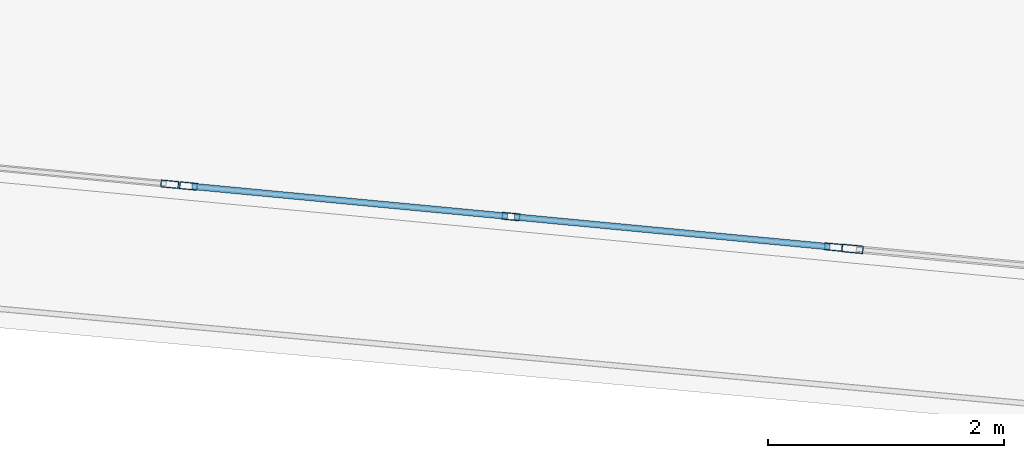
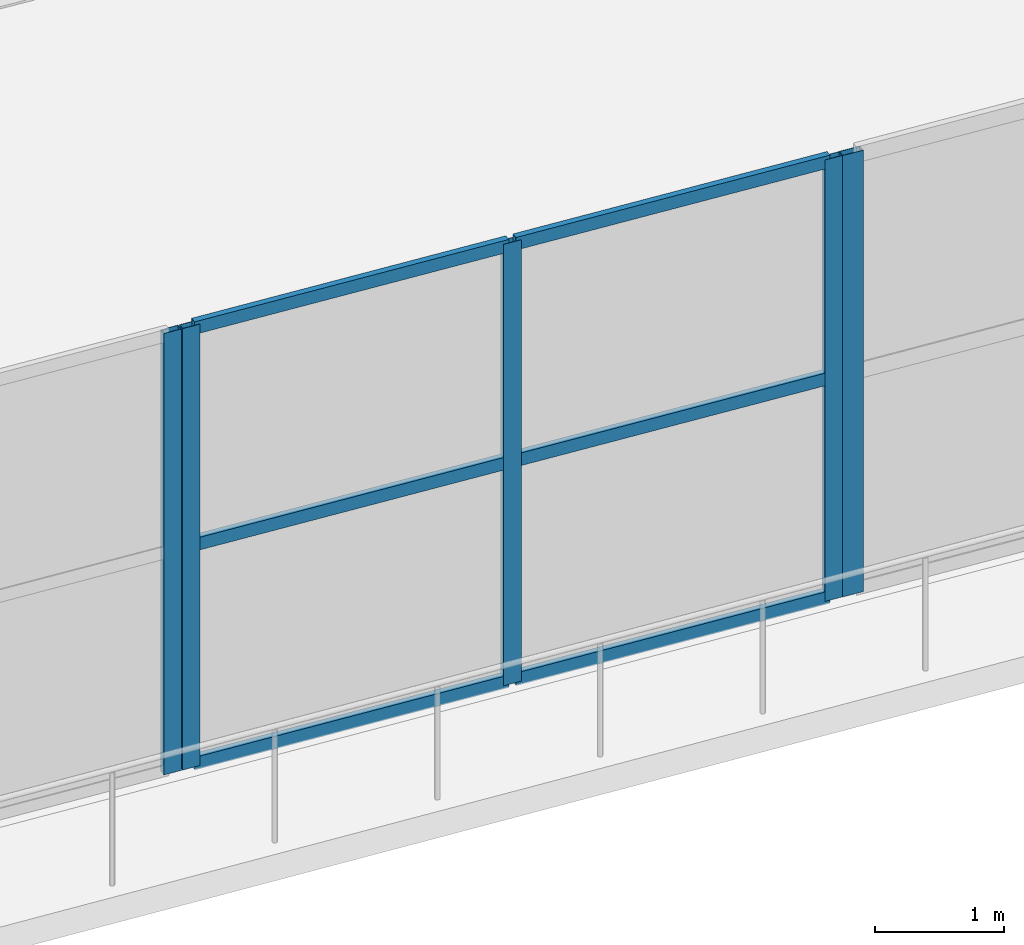
# One storey, part 22 of 107: 11 members, 3 elements without a shape of their own.
"""IFC4 building model written with IfcOpenShell, lengths in metres."""

from ifc_helpers import new_model, si_unit, direction, frame, origin, origin_2d, place, context, subcontext, project, spatial, hollow_rectangle, extrude, material, layer, layer_set, material_profile, profile_set, type_object, element, aggregate, save


model = new_model("IFC4")

# Units and contexts
model_context = context("Model", 3, precision=1e-05, world=origin(), true_north=direction((0.0, 1.0)))
body_context = subcontext(model_context, "Body", "Model", "MODEL_VIEW")
ifc_project = project(units=[si_unit("LENGTHUNIT", "METRE"), si_unit("AREAUNIT", "SQUARE_METRE"), si_unit("VOLUMEUNIT", "CUBIC_METRE"), si_unit("PLANEANGLEUNIT", "RADIAN"), si_unit("MASSUNIT", "GRAM", prefix="KILO")], contexts=[model_context])

# Site, building, storey
site_placement = place(None, origin())
site = spatial("IfcSite", under=ifc_project, at=site_placement, CompositionType="ELEMENT")
building_placement = place(site_placement, origin())
building = spatial("IfcBuilding", under=site, at=building_placement, Name="Kalgoora Escarpment Arena", CompositionType="ELEMENT")
storey_placement = place(building_placement, frame((0.0, 0.0, 5.39990234375)))
storey = spatial("IfcBuildingStorey", under=building, at=storey_placement, Name="L01", CompositionType="ELEMENT", Elevation=5.39990234375)

# Curtain wall, members
ifc_material_1 = material(Name=" Champagne anodised aluminium & double-glazed low-E", Category="aluminium")
ifc_layer_1 = layer(ifc_material_1, 0.154052734375)
ifc_layer_set_1 = layer_set([ifc_layer_1], Name="CW-UNIT-11")
curtain_wall_type_1 = type_object("IfcCurtainWallType", Name="CW-UNIT-11", PredefinedType="NOTDEFINED", material=ifc_layer_set_1)
curtain_wall_1_placement = place(storey_placement, origin())
curtain_wall_1 = element("IfcCurtainWall", 1, at=curtain_wall_1_placement, inside=storey, type_object=curtain_wall_type_1, Name="L01 unitised facade curtain wall 010", PredefinedType="NOTDEFINED")
ifc_material_2 = material(Name="Anodised aluminium 6063-T6", Category="aluminium")
ifc_material_profile_1 = material_profile(ifc_material_2, hollow_rectangle(XDim=0.06005859375, YDim=0.14990234375, WallThickness=0.00341796875, at=origin_2d()))
ifc_profile_set_1 = profile_set([ifc_material_profile_1], Name="Anodised aluminium 6063-T6")
member_type_1 = type_object("IfcMemberType", Name="MEM-CW-MULL-150", PredefinedType="MULLION", material=ifc_profile_set_1)
member_1_placement = place(storey_placement, frame((86.702392578125, 2.060302734375, 0.02001953125), z_axis=(0.0, 0.0, 1.0), x_axis=(-0.094301024516, -0.995543729213, 0.0)))
member_1 = element("IfcMember", 2, at=member_1_placement, type_object=member_type_1, Name="CW-11 mullion 1", PredefinedType="MULLION", context=body_context, shape_type="SweptSolid", body=[
    extrude(hollow_rectangle(XDim=0.06005859375, YDim=0.14990234375, WallThickness=0.00341796875, at=origin_2d()), origin(), (0.0, 0.0, 1.0), 4.190185546875),
])
member_2_placement = place(storey_placement, frame((83.96728515625, 2.3193359375, 0.02001953125), z_axis=(0.0, 0.0, 1.0), x_axis=(-0.094301024516, -0.995543729213, 0.0)))
member_2 = element("IfcMember", 3, at=member_2_placement, type_object=member_type_1, Name="CW-11 mullion 2", PredefinedType="MULLION", context=body_context, shape_type="SweptSolid", body=[
    extrude(hollow_rectangle(XDim=0.06005859375, YDim=0.14990234375, WallThickness=0.00341796875, at=origin_2d()), origin(), (0.0, 0.0, 1.0), 4.190185546875),
])
member_3_placement = place(storey_placement, frame((81.232177734375, 2.578369140625, 0.02001953125), z_axis=(0.0, 0.0, 1.0), x_axis=(-0.094301024516, -0.995543729213, 0.0)))
member_3 = element("IfcMember", 4, at=member_3_placement, type_object=member_type_1, Name="CW-11 mullion 3", PredefinedType="MULLION", context=body_context, shape_type="SweptSolid", body=[
    extrude(hollow_rectangle(XDim=0.06005859375, YDim=0.14990234375, WallThickness=0.00341796875, at=origin_2d()), origin(), (0.0, 0.0, 1.0), 4.190185546875),
])

# Curtain wall, member
ifc_material_3 = material(Name=" Champagne anodised aluminium & double-glazed low-E", Category="aluminium")
ifc_layer_2 = layer(ifc_material_3, 0.157958984375)
ifc_layer_set_2 = layer_set([ifc_layer_2], Name="CW-UNIT-12")
curtain_wall_type_2 = type_object("IfcCurtainWallType", Name="CW-UNIT-12", PredefinedType="NOTDEFINED", material=ifc_layer_set_2)
curtain_wall_2_placement = place(storey_placement, origin())
curtain_wall_2 = element("IfcCurtainWall", 5, at=curtain_wall_2_placement, inside=storey, type_object=curtain_wall_type_2, Name="L01 unitised facade curtain wall 011", PredefinedType="NOTDEFINED")
member_4_placement = place(storey_placement, frame((81.072998046875, 2.593505859375, 0.02001953125), z_axis=(0.0, 0.0, 1.0), x_axis=(-0.094301024516, -0.995543729213, 0.0)))
member_4 = element("IfcMember", 6, at=member_4_placement, type_object=member_type_1, Name="CW-12 mullion 1", PredefinedType="MULLION", context=body_context, shape_type="SweptSolid", body=[
    extrude(hollow_rectangle(XDim=0.06005859375, YDim=0.14990234375, WallThickness=0.00341796875, at=origin_2d()), origin(), (0.0, 0.0, 1.0), 4.190185546875),
])
aggregate(curtain_wall_2, [member_4])

ifc_material_4 = material(Name=" Champagne anodised aluminium & double-glazed low-E", Category="aluminium")
ifc_layer_3 = layer(ifc_material_4, 0.14990234375)
ifc_layer_set_3 = layer_set([ifc_layer_3], Name="CW-UNIT-10")
curtain_wall_type_3 = type_object("IfcCurtainWallType", Name="CW-UNIT-10", PredefinedType="NOTDEFINED", material=ifc_layer_set_3)
curtain_wall_3_placement = place(storey_placement, origin())
curtain_wall_3 = element("IfcCurtainWall", 7, at=curtain_wall_3_placement, inside=storey, type_object=curtain_wall_type_3, Name="L01 unitised facade curtain wall 009", PredefinedType="NOTDEFINED")
ifc_material_5 = material(Name="Anodised aluminium 6063-T6", Category="aluminium")
ifc_material_profile_2 = material_profile(ifc_material_5, hollow_rectangle(XDim=0.06494140625, YDim=0.179931640625, WallThickness=0.00390625, at=origin_2d()))
ifc_profile_set_2 = profile_set([ifc_material_profile_2], Name="Anodised aluminium 6063-T6")
member_type_2 = type_object("IfcMemberType", Name="MEM-CW-MULL-180", PredefinedType="MULLION", material=ifc_profile_set_2)
member_5_placement = place(storey_placement, frame((86.8642578125, 2.044921875, 0.02001953125), z_axis=(0.0, 0.0, 1.0), x_axis=(-0.094299655777, -0.995543858863, 0.0)))
member_5 = element("IfcMember", 8, at=member_5_placement, type_object=member_type_2, Name="CW-10 mullion 3", PredefinedType="MULLION", context=body_context, shape_type="SweptSolid", body=[
    extrude(hollow_rectangle(XDim=0.06494140625, YDim=0.179931640625, WallThickness=0.00390625, at=origin_2d()), origin(), (0.0, 0.0, 1.0), 4.190185546875),
])
aggregate(curtain_wall_3, [member_5])

# Member
ifc_material_6 = material(Name="Anodised aluminium 6063-T6", Category="aluminium")
ifc_material_profile_3 = material_profile(ifc_material_6, hollow_rectangle(XDim=0.054931640625, YDim=0.1201171875, WallThickness=0.003173828125, at=origin_2d()))
ifc_profile_set_3 = profile_set([ifc_material_profile_3], Name="Anodised aluminium 6063-T6")
member_type_3 = type_object("IfcMemberType", Name="MEM-CW-TRAN-120", PredefinedType="USERDEFINED", material=ifc_profile_set_3)
member_6_placement = place(storey_placement, frame((86.67236328125, 2.06298828125, 0.047607421875), z_axis=(-0.995543525614, 0.094303173899, 0.0), x_axis=(-0.094303173899, -0.995543525614, 0.0)))
member_6 = element("IfcMember", 9, at=member_6_placement, type_object=member_type_3, Name="CW-11 transom 1.1", ObjectType="TRANSOM", PredefinedType="USERDEFINED", context=body_context, shape_type="SweptSolid", body=[
    extrude(hollow_rectangle(XDim=0.054931640625, YDim=0.1201171875, WallThickness=0.003173828125, at=origin_2d()), origin(), (0.0, 0.0, 1.0), 2.687255859375),
])

member_7_placement = place(storey_placement, frame((86.67236328125, 2.06298828125, 2.125), z_axis=(-0.995543525614, 0.094303173899, 0.0), x_axis=(-0.094303173899, -0.995543525614, 0.0)))
member_7 = element("IfcMember", 10, at=member_7_placement, type_object=member_type_3, Name="CW-11 transom 1.2", ObjectType="TRANSOM", PredefinedType="USERDEFINED", context=body_context, shape_type="SweptSolid", body=[
    extrude(hollow_rectangle(XDim=0.054931640625, YDim=0.1201171875, WallThickness=0.003173828125, at=origin_2d()), origin(), (0.0, 0.0, 1.0), 2.687255859375),
])

member_8_placement = place(storey_placement, frame((86.67236328125, 2.06298828125, 4.1826171875), z_axis=(-0.995543525614, 0.094303173899, 0.0), x_axis=(-0.094303173899, -0.995543525614, 0.0)))
member_8 = element("IfcMember", 11, at=member_8_placement, type_object=member_type_3, Name="CW-11 transom 1.3", ObjectType="TRANSOM", PredefinedType="USERDEFINED", context=body_context, shape_type="SweptSolid", body=[
    extrude(hollow_rectangle(XDim=0.054931640625, YDim=0.1201171875, WallThickness=0.003173828125, at=origin_2d()), origin(), (0.0, 0.0, 1.0), 2.687255859375),
])

member_9_placement = place(storey_placement, frame((83.9375, 2.322021484375, 0.047607421875), z_axis=(-0.995543525614, 0.094303173899, 0.0), x_axis=(-0.094303173899, -0.995543525614, 0.0)))
member_9 = element("IfcMember", 12, at=member_9_placement, type_object=member_type_3, Name="CW-11 transom 2.1", ObjectType="TRANSOM", PredefinedType="USERDEFINED", context=body_context, shape_type="SweptSolid", body=[
    extrude(hollow_rectangle(XDim=0.054931640625, YDim=0.1201171875, WallThickness=0.003173828125, at=origin_2d()), origin(), (0.0, 0.0, 1.0), 2.687255859375),
])

member_10_placement = place(storey_placement, frame((83.9375, 2.322021484375, 2.125), z_axis=(-0.995543525614, 0.094303173899, 0.0), x_axis=(-0.094303173899, -0.995543525614, 0.0)))
member_10 = element("IfcMember", 13, at=member_10_placement, type_object=member_type_3, Name="CW-11 transom 2.2", ObjectType="TRANSOM", PredefinedType="USERDEFINED", context=body_context, shape_type="SweptSolid", body=[
    extrude(hollow_rectangle(XDim=0.054931640625, YDim=0.1201171875, WallThickness=0.003173828125, at=origin_2d()), origin(), (0.0, 0.0, 1.0), 2.687255859375),
])

member_11_placement = place(storey_placement, frame((83.9375, 2.322021484375, 4.1826171875), z_axis=(-0.995543525614, 0.094303173899, 0.0), x_axis=(-0.094303173899, -0.995543525614, 0.0)))
member_11 = element("IfcMember", 14, at=member_11_placement, type_object=member_type_3, Name="CW-11 transom 2.3", ObjectType="TRANSOM", PredefinedType="USERDEFINED", context=body_context, shape_type="SweptSolid", body=[
    extrude(hollow_rectangle(XDim=0.054931640625, YDim=0.1201171875, WallThickness=0.003173828125, at=origin_2d()), origin(), (0.0, 0.0, 1.0), 2.687255859375),
])

aggregate(curtain_wall_1, [member_1, member_2, member_3, member_6, member_7, member_8, member_9, member_10, member_11])

save(model, "model.ifc")
